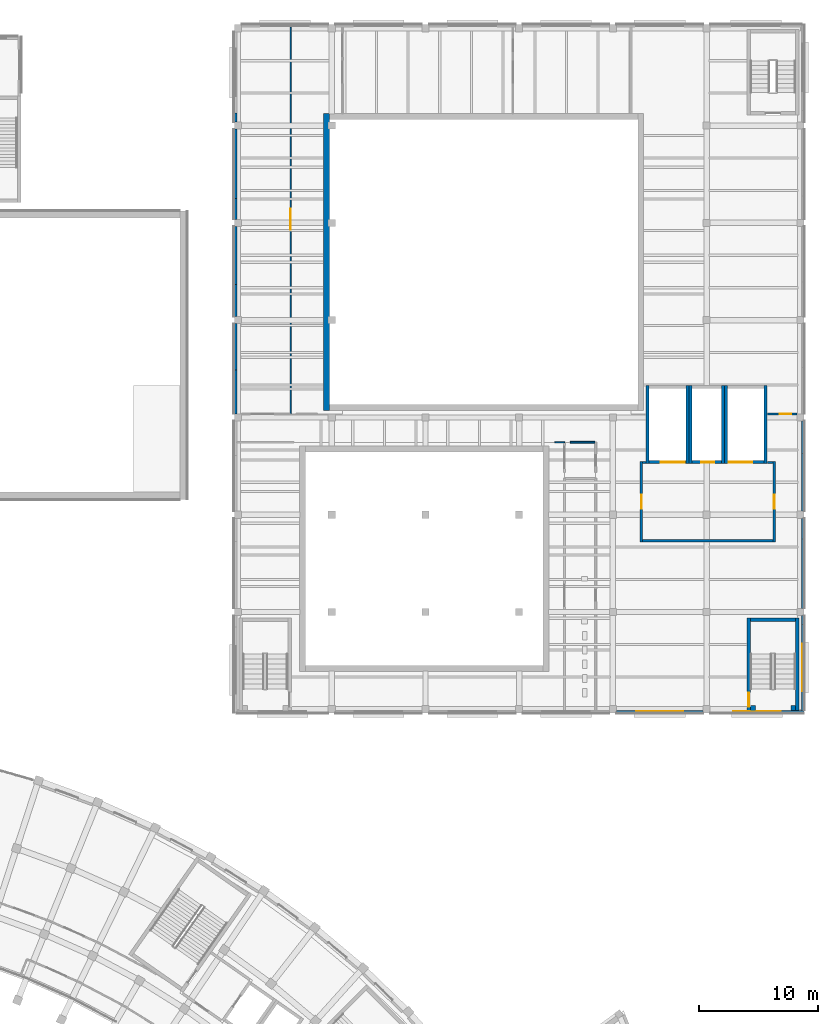
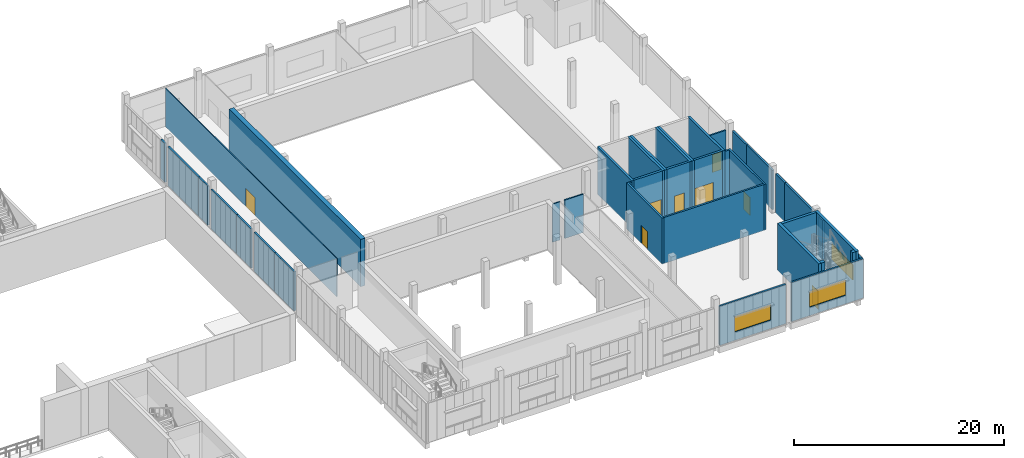
# One storey, part 64 of 112: 39 walls, 8 doors, 3 windows, 11 openings.
"""IFC4 building model written with IfcOpenShell, lengths in metres."""

from ifc_helpers import new_model, si_unit, direction, frame, frame_2d, origin, place, context, subcontext, project, spatial, rectangle, extrude, material, layer, layer_set, type_object, element, fill, save


model = new_model("IFC4")

# Units and contexts
model_context = context("Model", 3, precision=1e-05, world=origin(), true_north=direction((0.0, 1.0)))
body_context = subcontext(model_context, "Body", "Model", "MODEL_VIEW")
ifc_project = project(units=[si_unit("LENGTHUNIT", "METRE"), si_unit("AREAUNIT", "SQUARE_METRE"), si_unit("VOLUMEUNIT", "CUBIC_METRE"), si_unit("PLANEANGLEUNIT", "RADIAN"), si_unit("MASSUNIT", "GRAM", prefix="KILO")], contexts=[model_context])

# Site, building, storey
site_placement = place(None, origin())
site = spatial("IfcSite", under=ifc_project, at=site_placement, CompositionType="ELEMENT")
building_placement = place(site_placement, origin())
building = spatial("IfcBuilding", under=site, at=building_placement, Name="Lunette Opera House", CompositionType="ELEMENT")
storey_placement = place(building_placement, frame((0.0, 0.0, 6.0)))
storey = spatial("IfcBuildingStorey", under=building, at=storey_placement, Name="L01", CompositionType="ELEMENT", Elevation=6.0)

# Wall, opening, door
ifc_material_1 = material(Name="Plastered clay blockwork", Category="masonry")
ifc_layer_1 = layer(ifc_material_1, 0.175048828125)
ifc_layer_set_1 = layer_set([ifc_layer_1], Name="Plastered clay blockwork")
wall_type_1 = type_object("IfcWallType", Name="ACOUSTIC BLOCK PARTITION 175", PredefinedType="PARTITIONING", material=ifc_layer_set_1)
wall_1_placement = place(storey_placement, frame((180.949951171875, 103.199951171875, 0.0), z_axis=(0.0, 0.0, 1.0), x_axis=(1.0, 0.0, 0.0)))
wall_1 = element("IfcWall", 1, at=wall_1_placement, inside=storey, type_object=wall_type_1, Name="Partition Costume Store", PredefinedType="PARTITIONING", context=body_context, shape_type="SweptSolid", body=[
    extrude(rectangle(XDim=2.448974609375, YDim=0.175048828125, at=frame_2d((1.224609375, 0.0))), origin(), (0.0, 0.0, 1.0), 4.449951171875),
])
opening_1_placement = place(wall_1_placement, frame((1.0, 0.0, 0.0)))
opening_1 = element("IfcOpeningElement", 2, at=opening_1_placement, cuts=wall_1, Name="Opening WW-D3030", PredefinedType="OPENING", context=body_context, shape_type="SweptSolid", body=[
    extrude(rectangle(XDim=1.0, YDim=2.10009765625, at=frame_2d((0.5, 1.050048828125))), frame((0.0, 0.099609375, 0.0), z_axis=(0.0, -1.0, 0.0), x_axis=(1.0, 0.0, 0.0)), (0.0, 0.0, 1.0), 0.198974609375),
])
ifc_material_2 = material(Name="Timber", Category="wood")
door_type_1 = type_object("IfcDoorType", Name="FLUSH DOOR 1000 X 2100", OperationType="SINGLE_SWING_LEFT", PredefinedType="DOOR", material=ifc_material_2)
door_1_placement = place(opening_1_placement, origin())
door_1 = element("IfcDoor", 3, at=door_1_placement, inside=storey, type_object=door_type_1, Name="Costume Store door", OperationType="SINGLE_SWING_RIGHT", OverallHeight=2.10009765625, OverallWidth=1.0, PredefinedType="DOOR", context=body_context, shape_type="SweptSolid", body=[
    extrude(rectangle(XDim=1.0, YDim=2.10009765625, at=frame_2d((0.5, 1.050048828125))), frame((0.0, 0.02490234375, 0.0), z_axis=(0.0, -1.0, 0.0), x_axis=(1.0, 0.0, 0.0)), (0.0, 0.0, 1.0), 0.050048828125),
])
fill(opening_1, door_1)

# Wall
ifc_material_3 = material(Name="Plastered clay blockwork", Category="masonry")
ifc_layer_2 = layer(ifc_material_3, 0.14990234375)
ifc_layer_set_2 = layer_set([ifc_layer_2], Name="Plastered clay blockwork")
wall_type_2 = type_object("IfcWallType", Name="BLOCK PARTITION 150", PredefinedType="PARTITIONING", material=ifc_layer_set_2)
wall_2_placement = place(storey_placement, frame((166.37890625, 100.800048828125, 0.0), z_axis=(0.0, 0.0, 1.0), x_axis=(-1.0, 0.0, 0.0)))
element("IfcWall", 4, at=wall_2_placement, inside=storey, type_object=wall_type_2, Name="Partition Accessible WC L01 Workshop", PredefinedType="PARTITIONING", context=body_context, shape_type="SweptSolid", body=[
    extrude(rectangle(XDim=2.056884765625, YDim=0.14990234375, at=frame_2d((1.0283203125, 0.0))), origin(), (0.0, 0.0, 1.0), 4.449951171875),
])

# Wall, opening, door
ifc_material_4 = material(Name="Concrete C35/45", Category="concrete")
ifc_layer_3 = layer(ifc_material_4, 0.199951171875)
ifc_layer_set_3 = layer_set([ifc_layer_3], Name="Concrete C35/45")
wall_type_3 = type_object("IfcWallType", Name="LOBBY WALL 200", PredefinedType="PARTITIONING", material=ifc_layer_set_3)
wall_3_placement = place(storey_placement, frame((181.5, 92.39990234375, 0.0), z_axis=(0.0, 0.0, 1.0), x_axis=(0.0, 1.0, 0.0)))
wall_3 = element("IfcWall", 5, at=wall_3_placement, inside=storey, type_object=wall_type_3, Name="LL-W lobby wall 1a", PredefinedType="PARTITIONING", context=body_context, shape_type="SweptSolid", body=[
    extrude(rectangle(XDim=6.800048828125, YDim=0.199951171875, at=frame_2d((3.39990234375, 0.0))), origin(), (0.0, 0.0, 1.0), 5.35009765625),
])
opening_2_placement = place(wall_3_placement, frame((2.800048828125, 0.0, 0.0)))
opening_2 = element("IfcOpeningElement", 6, at=opening_2_placement, cuts=wall_3, Name="Opening WW-D7019", PredefinedType="OPENING", context=body_context, shape_type="SweptSolid", body=[
    extrude(rectangle(XDim=1.199951171875, YDim=2.10009765625, at=frame_2d((0.60009765625, 1.050048828125))), frame((0.0, 0.112060546875, 0.0), z_axis=(0.0, -1.0, 0.0), x_axis=(1.0, 0.0, 0.0)), (0.0, 0.0, 1.0), 0.223876953125),
])
ifc_material_5 = material(Name="Steel", Category="steel")
door_type_2 = type_object("IfcDoorType", Name="FIRE DOOR 1200 X 2100", OperationType="SINGLE_SWING_LEFT", PredefinedType="DOOR", material=ifc_material_5)
door_2_placement = place(opening_2_placement, origin())
door_2 = element("IfcDoor", 7, at=door_2_placement, inside=storey, type_object=door_type_2, Name="LL-W lobby door", OperationType="SINGLE_SWING_LEFT", OverallHeight=2.10009765625, OverallWidth=1.199951171875, PredefinedType="DOOR", context=body_context, shape_type="SweptSolid", body=[
    extrude(rectangle(XDim=1.199951171875, YDim=2.10009765625, at=frame_2d((0.60009765625, 1.050048828125))), frame((0.0, 0.02490234375, 0.0), z_axis=(0.0, -1.0, 0.0), x_axis=(1.0, 0.0, 0.0)), (0.0, 0.0, 1.0), 0.050048828125),
])
fill(opening_2, door_2)

# Walls
wall_4_placement = place(storey_placement, frame((181.39990234375, 99.10009765625, 0.0), z_axis=(0.0, 0.0, 1.0), x_axis=(-1.0, 0.0, 0.0)))
element("IfcWall", 8, at=wall_4_placement, inside=storey, type_object=wall_type_3, Name="LL-W lobby wall 2a", PredefinedType="PARTITIONING", context=body_context, shape_type="SweptSolid", body=[
    extrude(rectangle(XDim=0.47998046875, YDim=0.199951171875, at=frame_2d((0.239990234375, 0.0))), origin(), (0.0, 0.0, 1.0), 5.35009765625),
])
wall_5_placement = place(storey_placement, frame((170.679931640625, 99.10009765625, 0.0), z_axis=(0.0, 0.0, 1.0), x_axis=(-1.0, 0.0, 0.0)))
element("IfcWall", 9, at=wall_5_placement, inside=storey, type_object=wall_type_3, Name="LL-W lobby wall 2b", PredefinedType="PARTITIONING", context=body_context, shape_type="SweptSolid", body=[
    extrude(rectangle(XDim=0.280029296875, YDim=0.199951171875, at=frame_2d((0.14013671875, 0.0))), origin(), (0.0, 0.0, 1.0), 5.35009765625),
])

# Wall, opening, door
wall_6_placement = place(storey_placement, frame((170.300048828125, 99.199951171875, 0.0), z_axis=(0.0, 0.0, 1.0), x_axis=(0.0, -1.0, 0.0)))
wall_6 = element("IfcWall", 10, at=wall_6_placement, inside=storey, type_object=wall_type_3, Name="LL-W lobby wall 3a", PredefinedType="PARTITIONING", context=body_context, shape_type="SweptSolid", body=[
    extrude(rectangle(XDim=6.800048828125, YDim=0.199951171875, at=frame_2d((3.39990234375, 0.0))), origin(), (0.0, 0.0, 1.0), 5.35009765625),
])
opening_3_placement = place(wall_6_placement, frame((2.800048828125, 0.0, 0.0)))
opening_3 = element("IfcOpeningElement", 11, at=opening_3_placement, cuts=wall_6, Name="Opening WW-D7020", PredefinedType="OPENING", context=body_context, shape_type="SweptSolid", body=[
    extrude(rectangle(XDim=1.199951171875, YDim=2.10009765625, at=frame_2d((0.60009765625, 1.050048828125))), frame((0.0, 0.112060546875, 0.0), z_axis=(0.0, -1.0, 0.0), x_axis=(1.0, 0.0, 0.0)), (0.0, 0.0, 1.0), 0.223876953125),
])
door_3_placement = place(opening_3_placement, origin())
door_3 = element("IfcDoor", 12, at=door_3_placement, inside=storey, type_object=door_type_2, Name="LL-W lobby door", OperationType="SINGLE_SWING_LEFT", OverallHeight=2.10009765625, OverallWidth=1.199951171875, PredefinedType="DOOR", context=body_context, shape_type="SweptSolid", body=[
    extrude(rectangle(XDim=1.199951171875, YDim=2.10009765625, at=frame_2d((0.60009765625, 1.050048828125))), frame((0.0, 0.02490234375, 0.0), z_axis=(0.0, -1.0, 0.0), x_axis=(1.0, 0.0, 0.0)), (0.0, 0.0, 1.0), 0.050048828125),
])
fill(opening_3, door_3)

# Walls
wall_7_placement = place(storey_placement, frame((170.39990234375, 92.5, 0.0), z_axis=(0.0, 0.0, 1.0), x_axis=(1.0, 0.0, 0.0)))
element("IfcWall", 13, at=wall_7_placement, inside=storey, type_object=wall_type_3, Name="LL-W lobby wall 4a", PredefinedType="PARTITIONING", context=body_context, shape_type="SweptSolid", body=[
    extrude(rectangle(XDim=11.0, YDim=0.199951171875, at=frame_2d((5.5, 0.0))), origin(), (0.0, 0.0, 1.0), 5.35009765625),
])
ifc_material_6 = material(Name="Concrete C35/45", Category="concrete")
ifc_layer_4 = layer(ifc_material_6, 0.25)
ifc_layer_set_4 = layer_set([ifc_layer_4], Name="Concrete C35/45")
wall_type_4 = type_object("IfcWallType", Name="RC LIFT SHAFT WALL 250", PredefinedType="SOLIDWALL", material=ifc_layer_set_4)
for number, where, z_axis, x_axis, name in (
    (14, (177.175048828125, 99.0, 0.0), (0.0, 0.0, 1.0), (0.0, 1.0, 0.0), "LF6 shaft wall 1"),
    (15, (174.425048828125, 105.60009765625, 0.0), (0.0, 0.0, 1.0), (0.0, -1.0, 0.0), "LF6 shaft wall 3"),
):
    element("IfcWall", number, at=place(storey_placement, frame(where, z_axis=z_axis, x_axis=x_axis)), inside=storey, type_object=wall_type_4, Name=name, PredefinedType="SOLIDWALL", context=body_context, shape_type="SweptSolid", body=[
        extrude(rectangle(XDim=6.60009765625, YDim=0.25, at=frame_2d((3.300048828125, 0.0))), origin(), (0.0, 0.0, 1.0), 5.5),
    ])

# Wall, opening, door
wall_8_placement = place(storey_placement, frame((174.550048828125, 99.125, 0.0), z_axis=(0.0, 0.0, 1.0), x_axis=(1.0, 0.0, 0.0)))
wall_8 = element("IfcWall", 16, at=wall_8_placement, inside=storey, type_object=wall_type_4, Name="LF6 shaft wall 4", PredefinedType="SOLIDWALL", context=body_context, shape_type="SweptSolid", body=[
    extrude(rectangle(XDim=2.5, YDim=0.25, at=frame_2d((1.25, 0.0))), origin(), (0.0, 0.0, 1.0), 5.5),
])
opening_4_placement = place(wall_8_placement, frame((0.800048828125, 0.0, 0.0)))
opening_4 = element("IfcOpeningElement", 17, at=opening_4_placement, cuts=wall_8, Name="Opening WW-LD003", PredefinedType="OPENING", context=body_context, shape_type="SweptSolid", body=[
    extrude(rectangle(XDim=1.10009765625, YDim=2.10009765625, at=frame_2d((0.550048828125, 1.050048828125))), frame((0.0, 0.136962890625, 0.0), z_axis=(0.0, -1.0, 0.0), x_axis=(1.0, 0.0, 0.0)), (0.0, 0.0, 1.0), 0.27392578125),
])
ifc_material_7 = material(Name="Stainless steel", Category="steel")
door_type_3 = type_object("IfcDoorType", Name="LIFT LANDING DOOR 1100 X 2100", OperationType="DOUBLE_DOOR_SLIDING", PredefinedType="DOOR", material=ifc_material_7)
door_4_placement = place(opening_4_placement, origin())
door_4 = element("IfcDoor", 18, at=door_4_placement, inside=storey, type_object=door_type_3, Name="LF6 lift landing door", OperationType="DOUBLE_DOOR_SLIDING", OverallHeight=2.10009765625, OverallWidth=1.10009765625, PredefinedType="DOOR", context=body_context, shape_type="SweptSolid", body=[
    extrude(rectangle(XDim=1.10009765625, YDim=2.10009765625, at=frame_2d((0.550048828125, 1.050048828125))), frame((0.0, 0.02490234375, 0.0), z_axis=(0.0, -1.0, 0.0), x_axis=(1.0, 0.0, 0.0)), (0.0, 0.0, 1.0), 0.050048828125),
])
fill(opening_4, door_4)

# Walls
for number, where, z_axis, x_axis, name in (
    (19, (174.175048828125, 99.0, 0.0), (0.0, 0.0, 1.0), (0.0, 1.0, 0.0), "LG2 shaft wall 1"),
    (20, (170.824951171875, 105.60009765625, 0.0), (0.0, 0.0, 1.0), (0.0, -1.0, 0.0), "LG2 shaft wall 3"),
):
    element("IfcWall", number, at=place(storey_placement, frame(where, z_axis=z_axis, x_axis=x_axis)), inside=storey, type_object=wall_type_4, Name=name, PredefinedType="SOLIDWALL", context=body_context, shape_type="SweptSolid", body=[
        extrude(rectangle(XDim=6.60009765625, YDim=0.25, at=frame_2d((3.300048828125, 0.0))), origin(), (0.0, 0.0, 1.0), 5.5),
    ])

# Wall, opening, door
wall_9_placement = place(storey_placement, frame((170.949951171875, 99.125, 0.0), z_axis=(0.0, 0.0, 1.0), x_axis=(1.0, 0.0, 0.0)))
wall_9 = element("IfcWall", 21, at=wall_9_placement, inside=storey, type_object=wall_type_4, Name="LG2 shaft wall 4", PredefinedType="SOLIDWALL", context=body_context, shape_type="SweptSolid", body=[
    extrude(rectangle(XDim=3.10009765625, YDim=0.25, at=frame_2d((1.550048828125, 0.0))), origin(), (0.0, 0.0, 1.0), 5.5),
])
opening_5_placement = place(wall_9_placement, frame((1.0, 0.0, 0.0)))
opening_5 = element("IfcOpeningElement", 22, at=opening_5_placement, cuts=wall_9, Name="Opening WW-LD008", PredefinedType="OPENING", context=body_context, shape_type="SweptSolid", body=[
    extrude(rectangle(XDim=2.0, YDim=2.199951171875, at=frame_2d((1.0, 1.10009765625))), frame((0.0, 0.136962890625, 0.0), z_axis=(0.0, -1.0, 0.0), x_axis=(1.0, 0.0, 0.0)), (0.0, 0.0, 1.0), 0.27392578125),
])
ifc_material_8 = material(Name="Stainless steel", Category="steel")
door_type_4 = type_object("IfcDoorType", Name="LIFT LANDING DOOR 2000 X 2200", OperationType="DOUBLE_DOOR_SLIDING", PredefinedType="DOOR", material=ifc_material_8)
door_5_placement = place(opening_5_placement, origin())
door_5 = element("IfcDoor", 23, at=door_5_placement, inside=storey, type_object=door_type_4, Name="LG2 lift landing door", OperationType="DOUBLE_DOOR_SLIDING", OverallHeight=2.199951171875, OverallWidth=2.0, PredefinedType="DOOR", context=body_context, shape_type="SweptSolid", body=[
    extrude(rectangle(XDim=2.0, YDim=2.199951171875, at=frame_2d((1.0, 1.10009765625))), frame((0.0, 0.02490234375, 0.0), z_axis=(0.0, -1.0, 0.0), x_axis=(1.0, 0.0, 0.0)), (0.0, 0.0, 1.0), 0.050048828125),
])
fill(opening_5, door_5)

# Walls
for number, where, z_axis, x_axis, name in (
    (24, (180.77490234375, 99.0, 0.0), (0.0, 0.0, 1.0), (0.0, 1.0, 0.0), "LG3 shaft wall 1"),
    (25, (177.425048828125, 105.60009765625, 0.0), (0.0, 0.0, 1.0), (0.0, -1.0, 0.0), "LG3 shaft wall 3"),
):
    element("IfcWall", number, at=place(storey_placement, frame(where, z_axis=z_axis, x_axis=x_axis)), inside=storey, type_object=wall_type_4, Name=name, PredefinedType="SOLIDWALL", context=body_context, shape_type="SweptSolid", body=[
        extrude(rectangle(XDim=6.60009765625, YDim=0.25, at=frame_2d((3.300048828125, 0.0))), origin(), (0.0, 0.0, 1.0), 5.5),
    ])

# Wall, opening, door
wall_10_placement = place(storey_placement, frame((177.550048828125, 99.125, 0.0), z_axis=(0.0, 0.0, 1.0), x_axis=(1.0, 0.0, 0.0)))
wall_10 = element("IfcWall", 26, at=wall_10_placement, inside=storey, type_object=wall_type_4, Name="LG3 shaft wall 4", PredefinedType="SOLIDWALL", context=body_context, shape_type="SweptSolid", body=[
    extrude(rectangle(XDim=3.099853515625, YDim=0.25, at=frame_2d((1.5498046875, 0.0))), origin(), (0.0, 0.0, 1.0), 5.5),
])
opening_6_placement = place(wall_10_placement, frame((0.10009765625, 0.0, 0.0)))
opening_6 = element("IfcOpeningElement", 27, at=opening_6_placement, cuts=wall_10, Name="Opening WW-LD013", PredefinedType="OPENING", context=body_context, shape_type="SweptSolid", body=[
    extrude(rectangle(XDim=2.0, YDim=2.199951171875, at=frame_2d((1.0, 1.10009765625))), frame((0.0, 0.136962890625, 0.0), z_axis=(0.0, -1.0, 0.0), x_axis=(1.0, 0.0, 0.0)), (0.0, 0.0, 1.0), 0.27392578125),
])
door_6_placement = place(opening_6_placement, origin())
door_6 = element("IfcDoor", 28, at=door_6_placement, inside=storey, type_object=door_type_4, Name="LG3 lift landing door", OperationType="DOUBLE_DOOR_SLIDING", OverallHeight=2.199951171875, OverallWidth=2.0, PredefinedType="DOOR", context=body_context, shape_type="SweptSolid", body=[
    extrude(rectangle(XDim=2.0, YDim=2.199951171875, at=frame_2d((1.0, 1.10009765625))), frame((0.0, 0.02490234375, 0.0), z_axis=(0.0, -1.0, 0.0), x_axis=(1.0, 0.0, 0.0)), (0.0, 0.0, 1.0), 0.050048828125),
])
fill(opening_6, door_6)

# Walls
ifc_material_9 = material(Name="Concrete C35/45", Category="concrete")
ifc_layer_5 = layer(ifc_material_9, 0.39990234375)
ifc_layer_set_5 = layer_set([ifc_layer_5], Name="Concrete C35/45")
wall_type_5 = type_object("IfcWallType", Name="RC PILASTER 400", PredefinedType="SOLIDWALL", material=ifc_layer_set_5)
wall_11_placement = place(storey_placement, frame((179.5, 78.39990234375, 0.0), z_axis=(0.0, 0.0, 1.0), x_axis=(1.0, 0.0, 0.0)))
element("IfcWall", 29, at=wall_11_placement, inside=storey, type_object=wall_type_5, Name="ST20 pilaster 1", PredefinedType="SOLIDWALL", context=body_context, shape_type="SweptSolid", body=[
    extrude(rectangle(XDim=0.39990234375, YDim=0.39990234375, at=frame_2d((0.199951171875, 0.0))), origin(), (0.0, 0.0, 1.0), 5.5),
])
wall_12_placement = place(storey_placement, frame((182.89990234375, 78.39990234375, 0.0), z_axis=(0.0, 0.0, 1.0), x_axis=(1.0, 0.0, 0.0)))
element("IfcWall", 30, at=wall_12_placement, inside=storey, type_object=wall_type_5, Name="ST20 pilaster 2", PredefinedType="SOLIDWALL", context=body_context, shape_type="SweptSolid", body=[
    extrude(rectangle(XDim=0.400146484375, YDim=0.39990234375, at=frame_2d((0.2001953125, 0.0))), origin(), (0.0, 0.0, 1.0), 5.5),
])
ifc_material_10 = material(Name="Concrete C35/45", Category="concrete")
ifc_layer_6 = layer(ifc_material_10, 0.300048828125)
ifc_layer_set_6 = layer_set([ifc_layer_6], Name="Concrete C35/45")
wall_type_6 = type_object("IfcWallType", Name="RC STAIR ENCLOSURE WALL 300", PredefinedType="SOLIDWALL", material=ifc_layer_set_6)
wall_13_placement = place(storey_placement, frame((183.449951171875, 78.199951171875, 0.0), z_axis=(0.0, 0.0, 1.0), x_axis=(0.0, 1.0, 0.0)))
element("IfcWall", 31, at=wall_13_placement, inside=storey, type_object=wall_type_6, Name="ST20 enclosure wall 1", PredefinedType="SOLIDWALL", context=body_context, shape_type="SweptSolid", body=[
    extrude(rectangle(XDim=7.800048828125, YDim=0.300048828125, at=frame_2d((3.89990234375, 0.0))), origin(), (0.0, 0.0, 1.0), 5.5),
])
wall_14_placement = place(storey_placement, frame((183.300048828125, 85.85009765625, 0.0), z_axis=(0.0, 0.0, 1.0), x_axis=(-1.0, 0.0, 0.0)))
element("IfcWall", 32, at=wall_14_placement, inside=storey, type_object=wall_type_6, Name="ST20 enclosure wall 2", PredefinedType="SOLIDWALL", context=body_context, shape_type="SweptSolid", body=[
    extrude(rectangle(XDim=3.800048828125, YDim=0.300048828125, at=frame_2d((1.89990234375, 0.0))), origin(), (0.0, 0.0, 1.0), 5.5),
])

# Wall, opening, door
wall_15_placement = place(storey_placement, frame((179.35009765625, 86.0, 0.0), z_axis=(0.0, 0.0, 1.0), x_axis=(0.0, -1.0, 0.0)))
wall_15 = element("IfcWall", 33, at=wall_15_placement, inside=storey, type_object=wall_type_6, Name="ST20 enclosure wall 3", PredefinedType="SOLIDWALL", context=body_context, shape_type="SweptSolid", body=[
    extrude(rectangle(XDim=7.800048828125, YDim=0.300048828125, at=frame_2d((3.89990234375, 0.0))), origin(), (0.0, 0.0, 1.0), 5.5),
])
opening_7_placement = place(wall_15_placement, frame((6.300048828125, 0.0, 0.0)))
opening_7 = element("IfcOpeningElement", 34, at=opening_7_placement, cuts=wall_15, Name="Opening WW-D7012", PredefinedType="OPENING", context=body_context, shape_type="SweptSolid", body=[
    extrude(rectangle(XDim=1.199951171875, YDim=2.10009765625, at=frame_2d((0.60009765625, 1.050048828125))), frame((0.0, 0.162109375, 0.0), z_axis=(0.0, -1.0, 0.0), x_axis=(1.0, 0.0, 0.0)), (0.0, 0.0, 1.0), 0.323974609375),
])
door_7_placement = place(opening_7_placement, origin())
door_7 = element("IfcDoor", 35, at=door_7_placement, inside=storey, type_object=door_type_2, Name="ST20 stair door", OperationType="SINGLE_SWING_LEFT", OverallHeight=2.10009765625, OverallWidth=1.199951171875, PredefinedType="DOOR", context=body_context, shape_type="SweptSolid", body=[
    extrude(rectangle(XDim=1.199951171875, YDim=2.10009765625, at=frame_2d((0.60009765625, 1.050048828125))), frame((0.0, 0.02490234375, 0.0), z_axis=(0.0, -1.0, 0.0), x_axis=(1.0, 0.0, 0.0)), (0.0, 0.0, 1.0), 0.050048828125),
])
fill(opening_7, door_7)

# Wall
ifc_material_11 = material(Name="Concrete C35/45", Category="concrete")
ifc_layer_7 = layer(ifc_material_11, 0.5)
ifc_layer_set_7 = layer_set([ifc_layer_7], Name="Concrete C35/45")
wall_type_7 = type_object("IfcWallType", Name="RC WALL 500", PredefinedType="SHEAR", material=ifc_layer_set_7)
wall_16_placement = place(storey_placement, frame((143.75, 103.5, 0.0), z_axis=(0.0, 0.0, 1.0), x_axis=(0.0, 1.0, 0.0)))
element("IfcWall", 36, at=wall_16_placement, inside=storey, type_object=wall_type_7, Name="wall-WW-L01-PH-W-1", PredefinedType="SHEAR", context=body_context, shape_type="SweptSolid", body=[
    extrude(rectangle(XDim=25.0, YDim=0.5, at=frame_2d((12.5, 0.0))), origin(), (0.0, 0.0, 1.0), 5.5),
])

# Wall, opening, door
ifc_material_12 = material(Name="Gypsum board on steel studs", Category="steel")
ifc_layer_8 = layer(ifc_material_12, 0.10009765625)
ifc_layer_set_8 = layer_set([ifc_layer_8], Name="Gypsum board on steel studs")
wall_type_8 = type_object("IfcWallType", Name="STUD PARTITION 100", PredefinedType="PARTITIONING", material=ifc_layer_set_8)
wall_17_placement = place(storey_placement, frame((140.741943359375, 135.800048828125, 0.0), z_axis=(0.0, 0.0, 1.0), x_axis=(0.0, -1.0, 0.0)))
wall_17 = element("IfcWall", 37, at=wall_17_placement, inside=storey, type_object=wall_type_8, Name="Partition Wig and Make-up Workshop", PredefinedType="PARTITIONING", context=body_context, shape_type="SweptSolid", body=[
    extrude(rectangle(XDim=32.60009765625, YDim=0.10009765625, at=frame_2d((16.300048828125, 0.0))), origin(), (0.0, 0.0, 1.0), 4.449951171875),
])
opening_8_placement = place(wall_17_placement, frame((15.300048828125, 0.0, 0.0)))
opening_8 = element("IfcOpeningElement", 38, at=opening_8_placement, cuts=wall_17, Name="Opening WW-D3023", PredefinedType="OPENING", context=body_context, shape_type="SweptSolid", body=[
    extrude(rectangle(XDim=1.800048828125, YDim=2.10009765625, at=frame_2d((0.89990234375, 1.050048828125))), frame((0.0, 0.06201171875, 0.0), z_axis=(0.0, -1.0, 0.0), x_axis=(1.0, 0.0, 0.0)), (0.0, 0.0, 1.0), 0.1240234375),
])
ifc_material_13 = material(Name="Timber", Category="wood")
door_type_5 = type_object("IfcDoorType", Name="DOUBLE FLUSH DOOR 1800 X 2100", OperationType="DOUBLE_DOOR_SINGLE_SWING", PredefinedType="DOOR", material=ifc_material_13)
door_8_placement = place(opening_8_placement, origin())
door_8 = element("IfcDoor", 39, at=door_8_placement, inside=storey, type_object=door_type_5, Name="Wig and Make-up Workshop door", OperationType="DOUBLE_DOOR_SINGLE_SWING", OverallHeight=2.10009765625, OverallWidth=1.800048828125, PredefinedType="DOOR", context=body_context, shape_type="SweptSolid", body=[
    extrude(rectangle(XDim=1.800048828125, YDim=2.10009765625, at=frame_2d((0.89990234375, 1.050048828125))), frame((0.0, 0.02490234375, 0.0), z_axis=(0.0, -1.0, 0.0), x_axis=(1.0, 0.0, 0.0)), (0.0, 0.0, 1.0), 0.050048828125),
])
fill(opening_8, door_8)

# Wall
wall_18_placement = place(storey_placement, frame((163.0, 100.800048828125, 0.0), z_axis=(0.0, 0.0, 1.0), x_axis=(1.0, 0.0, 0.0)))
element("IfcWall", 40, at=wall_18_placement, inside=storey, type_object=wall_type_8, Name="Partition Corridor L01 Workshop", PredefinedType="PARTITIONING", context=body_context, shape_type="SweptSolid", body=[
    extrude(rectangle(XDim=0.822021484375, YDim=0.10009765625, at=frame_2d((0.4111328125, 0.0))), origin(), (0.0, 0.0, 1.0), 4.449951171875),
])

# Wall, opening, window
ifc_material_14 = material(Name="Insulated aluminium sandwich panel", Category="aluminium")
ifc_layer_9 = layer(ifc_material_14, 0.199951171875)
ifc_layer_set_9 = layer_set([ifc_layer_9], Name="Insulated aluminium sandwich panel")
wall_type_9 = type_object("IfcWallType", Name="WORKSHOP METAL PANEL WALL 200", PredefinedType="SOLIDWALL", material=ifc_layer_set_9)
wall_19_placement = place(storey_placement, frame((183.89990234375, 78.199951171875, 0.0), z_axis=(0.0, 0.0, 1.0), x_axis=(0.0, 1.0, 0.0)))
wall_19 = element("IfcWall", 41, at=wall_19_placement, inside=storey, type_object=wall_type_9, Name="Workshop Metal Panel Wall 200 F01 L01", PredefinedType="SOLIDWALL", context=body_context, shape_type="SweptSolid", body=[
    extrude(rectangle(XDim=7.22509765625, YDim=0.199951171875, at=frame_2d((3.612548828125, 0.0))), origin(), (0.0, 0.0, 1.0), 4.550048828125),
])
opening_9_placement = place(wall_19_placement, frame((1.612060546875, 0.0, 1.0)))
opening_9 = element("IfcOpeningElement", 42, at=opening_9_placement, cuts=wall_19, Name="Opening WW-N2001", PredefinedType="OPENING", context=body_context, shape_type="SweptSolid", body=[
    extrude(rectangle(XDim=4.0, YDim=1.800048828125, at=frame_2d((2.0, 0.89990234375))), frame((0.0, 0.112060546875, 0.0), z_axis=(0.0, -1.0, 0.0), x_axis=(1.0, 0.0, 0.0)), (0.0, 0.0, 1.0), 0.223876953125),
])
ifc_material_15 = material(Name="Aluminium", Category="aluminium")
window_type = type_object("IfcWindowType", Name="WORKSHOP RIBBON WINDOW 4000 X 1800", PartitioningType="DOUBLE_PANEL_VERTICAL", PredefinedType="WINDOW", material=ifc_material_15)
window_1_placement = place(opening_9_placement, origin())
window_1 = element("IfcWindow", 43, at=window_1_placement, inside=storey, type_object=window_type, Name="Workshop Ribbon Window 4000 X 1800 F01 L01", OverallHeight=1.800048828125, OverallWidth=4.0, PartitioningType="DOUBLE_PANEL_VERTICAL", PredefinedType="WINDOW", context=body_context, shape_type="SweptSolid", body=[
    extrude(rectangle(XDim=4.0, YDim=1.800048828125, at=frame_2d((2.0, 0.89990234375))), frame((0.0, 0.030029296875, 0.0), z_axis=(0.0, -1.0, 0.0), x_axis=(1.0, 0.0, 0.0)), (0.0, 0.0, 1.0), 0.06005859375),
])
fill(opening_9, window_1)

# Walls
wall_20_placement = place(storey_placement, frame((183.89990234375, 85.425048828125, 0.0), z_axis=(0.0, 0.0, 1.0), x_axis=(0.0, 1.0, 0.0)))
element("IfcWall", 44, at=wall_20_placement, inside=storey, type_object=wall_type_9, Name="Workshop Metal Panel Wall 200 F02-1 L01", PredefinedType="SOLIDWALL", context=body_context, shape_type="SweptSolid", body=[
    extrude(rectangle(XDim=0.77490234375, YDim=0.199951171875, at=frame_2d((0.387451171875, 0.0))), origin(), (0.0, 0.0, 1.0), 4.550048828125),
])
wall_21_placement = place(storey_placement, frame((183.89990234375, 86.800048828125, 0.0), z_axis=(0.0, 0.0, 1.0), x_axis=(0.0, 1.0, 0.0)))
element("IfcWall", 45, at=wall_21_placement, inside=storey, type_object=wall_type_9, Name="Workshop Metal Panel Wall 200 F02-2 L01", PredefinedType="SOLIDWALL", context=body_context, shape_type="SweptSolid", body=[
    extrude(rectangle(XDim=5.849853515625, YDim=0.199951171875, at=frame_2d((2.9248046875, 0.0))), origin(), (0.0, 0.0, 1.0), 4.550048828125),
])
wall_22_placement = place(storey_placement, frame((183.89990234375, 92.64990234375, 0.0), z_axis=(0.0, 0.0, 1.0), x_axis=(0.0, 1.0, 0.0)))
element("IfcWall", 46, at=wall_22_placement, inside=storey, type_object=wall_type_9, Name="Workshop Metal Panel Wall 200 F03-1 L01", PredefinedType="SOLIDWALL", context=body_context, shape_type="SweptSolid", body=[
    extrude(rectangle(XDim=1.75, YDim=0.199951171875, at=frame_2d((0.875, 0.0))), origin(), (0.0, 0.0, 1.0), 4.550048828125),
])
wall_23_placement = place(storey_placement, frame((183.89990234375, 95.0, 0.0), z_axis=(0.0, 0.0, 1.0), x_axis=(0.0, 1.0, 0.0)))
element("IfcWall", 47, at=wall_23_placement, inside=storey, type_object=wall_type_9, Name="Workshop Metal Panel Wall 200 F03-2 L01", PredefinedType="SOLIDWALL", context=body_context, shape_type="SweptSolid", body=[
    extrude(rectangle(XDim=4.875, YDim=0.199951171875, at=frame_2d((2.4375, 0.0))), origin(), (0.0, 0.0, 1.0), 4.550048828125),
])
wall_24_placement = place(storey_placement, frame((183.89990234375, 99.875, 0.0), z_axis=(0.0, 0.0, 1.0), x_axis=(0.0, 1.0, 0.0)))
element("IfcWall", 48, at=wall_24_placement, inside=storey, type_object=wall_type_9, Name="Workshop Metal Panel Wall 200 F04-1 L01", PredefinedType="SOLIDWALL", context=body_context, shape_type="SweptSolid", body=[
    extrude(rectangle(XDim=2.72509765625, YDim=0.199951171875, at=frame_2d((1.362548828125, 0.0))), origin(), (0.0, 0.0, 1.0), 4.550048828125),
])
wall_25_placement = place(storey_placement, frame((136.10009765625, 128.574951171875, 0.0), z_axis=(0.0, 0.0, 1.0), x_axis=(0.0, -1.0, 0.0)))
element("IfcWall", 49, at=wall_25_placement, inside=storey, type_object=wall_type_9, Name="Workshop Metal Panel Wall 200 F16-1 L01", PredefinedType="SOLIDWALL", context=body_context, shape_type="SweptSolid", body=[
    extrude(rectangle(XDim=0.77490234375, YDim=0.199951171875, at=frame_2d((0.387451171875, 0.0))), origin(), (0.0, 0.0, 1.0), 4.550048828125),
])
wall_26_placement = place(storey_placement, frame((136.10009765625, 127.199951171875, 0.0), z_axis=(0.0, 0.0, 1.0), x_axis=(0.0, -1.0, 0.0)))
element("IfcWall", 50, at=wall_26_placement, inside=storey, type_object=wall_type_9, Name="Workshop Metal Panel Wall 200 F16-2 L01", PredefinedType="SOLIDWALL", context=body_context, shape_type="SweptSolid", body=[
    extrude(rectangle(XDim=5.849853515625, YDim=0.199951171875, at=frame_2d((2.9248046875, 0.0))), origin(), (0.0, 0.0, 1.0), 4.550048828125),
])
wall_27_placement = place(storey_placement, frame((136.10009765625, 121.35009765625, 0.0), z_axis=(0.0, 0.0, 1.0), x_axis=(0.0, -1.0, 0.0)))
element("IfcWall", 51, at=wall_27_placement, inside=storey, type_object=wall_type_9, Name="Workshop Metal Panel Wall 200 F17-1 L01", PredefinedType="SOLIDWALL", context=body_context, shape_type="SweptSolid", body=[
    extrude(rectangle(XDim=1.75, YDim=0.199951171875, at=frame_2d((0.875, 0.0))), origin(), (0.0, 0.0, 1.0), 4.550048828125),
])
wall_28_placement = place(storey_placement, frame((136.10009765625, 119.0, 0.0), z_axis=(0.0, 0.0, 1.0), x_axis=(0.0, -1.0, 0.0)))
element("IfcWall", 52, at=wall_28_placement, inside=storey, type_object=wall_type_9, Name="Workshop Metal Panel Wall 200 F17-2 L01", PredefinedType="SOLIDWALL", context=body_context, shape_type="SweptSolid", body=[
    extrude(rectangle(XDim=4.875, YDim=0.199951171875, at=frame_2d((2.4375, 0.0))), origin(), (0.0, 0.0, 1.0), 4.550048828125),
])
wall_29_placement = place(storey_placement, frame((136.10009765625, 114.125, 0.0), z_axis=(0.0, 0.0, 1.0), x_axis=(0.0, -1.0, 0.0)))
element("IfcWall", 53, at=wall_29_placement, inside=storey, type_object=wall_type_9, Name="Workshop Metal Panel Wall 200 F18-1 L01", PredefinedType="SOLIDWALL", context=body_context, shape_type="SweptSolid", body=[
    extrude(rectangle(XDim=2.72509765625, YDim=0.199951171875, at=frame_2d((1.362548828125, 0.0))), origin(), (0.0, 0.0, 1.0), 4.550048828125),
])
wall_30_placement = place(storey_placement, frame((136.10009765625, 110.800048828125, 0.0), z_axis=(0.0, 0.0, 1.0), x_axis=(0.0, -1.0, 0.0)))
element("IfcWall", 54, at=wall_30_placement, inside=storey, type_object=wall_type_9, Name="Workshop Metal Panel Wall 200 F18-2 L01", PredefinedType="SOLIDWALL", context=body_context, shape_type="SweptSolid", body=[
    extrude(rectangle(XDim=3.900146484375, YDim=0.199951171875, at=frame_2d((1.9501953125, 0.0))), origin(), (0.0, 0.0, 1.0), 4.550048828125),
])
wall_31_placement = place(storey_placement, frame((136.10009765625, 106.89990234375, 0.0), z_axis=(0.0, 0.0, 1.0), x_axis=(0.0, -1.0, 0.0)))
element("IfcWall", 55, at=wall_31_placement, inside=storey, type_object=wall_type_9, Name="Workshop Metal Panel Wall 200 F19-1 L01", PredefinedType="SOLIDWALL", context=body_context, shape_type="SweptSolid", body=[
    extrude(rectangle(XDim=3.699951171875, YDim=0.199951171875, at=frame_2d((1.85009765625, 0.0))), origin(), (0.0, 0.0, 1.0), 4.550048828125),
])

# Wall, opening, window
wall_32_placement = place(storey_placement, frame((168.199951171875, 78.10009765625, 0.0), z_axis=(0.0, 0.0, 1.0), x_axis=(1.0, 0.0, 0.0)))
wall_32 = element("IfcWall", 56, at=wall_32_placement, inside=storey, type_object=wall_type_9, Name="Workshop Metal Panel Wall 200 F27 L01", PredefinedType="SOLIDWALL", context=body_context, shape_type="SweptSolid", body=[
    extrude(rectangle(XDim=7.300048828125, YDim=0.199951171875, at=frame_2d((3.64990234375, 0.0))), origin(), (0.0, 0.0, 1.0), 4.550048828125),
])
opening_10_placement = place(wall_32_placement, frame((1.64990234375, 0.0, 1.0)))
opening_10 = element("IfcOpeningElement", 57, at=opening_10_placement, cuts=wall_32, Name="Opening WW-N2015", PredefinedType="OPENING", context=body_context, shape_type="SweptSolid", body=[
    extrude(rectangle(XDim=4.0, YDim=1.800048828125, at=frame_2d((2.0, 0.89990234375))), frame((0.0, 0.112060546875, 0.0), z_axis=(0.0, -1.0, 0.0), x_axis=(1.0, 0.0, 0.0)), (0.0, 0.0, 1.0), 0.223876953125),
])
window_2_placement = place(opening_10_placement, origin())
window_2 = element("IfcWindow", 58, at=window_2_placement, inside=storey, type_object=window_type, Name="Workshop Ribbon Window 4000 X 1800 F27 L01", OverallHeight=1.800048828125, OverallWidth=4.0, PartitioningType="DOUBLE_PANEL_VERTICAL", PredefinedType="WINDOW", context=body_context, shape_type="SweptSolid", body=[
    extrude(rectangle(XDim=4.0, YDim=1.800048828125, at=frame_2d((2.0, 0.89990234375))), frame((0.0, 0.030029296875, 0.0), z_axis=(0.0, -1.0, 0.0), x_axis=(1.0, 0.0, 0.0)), (0.0, 0.0, 1.0), 0.06005859375),
])
fill(opening_10, window_2)

wall_33_placement = place(storey_placement, frame((176.10009765625, 78.10009765625, 0.0), z_axis=(0.0, 0.0, 1.0), x_axis=(1.0, 0.0, 0.0)))
wall_33 = element("IfcWall", 59, at=wall_33_placement, inside=storey, type_object=wall_type_9, Name="Workshop Metal Panel Wall 200 F28 L01", PredefinedType="SOLIDWALL", context=body_context, shape_type="SweptSolid", body=[
    extrude(rectangle(XDim=7.89990234375, YDim=0.199951171875, at=frame_2d((3.949951171875, 0.0))), origin(), (0.0, 0.0, 1.0), 4.550048828125),
])
opening_11_placement = place(wall_33_placement, frame((1.949951171875, 0.0, 1.0)))
opening_11 = element("IfcOpeningElement", 60, at=opening_11_placement, cuts=wall_33, Name="Opening WW-N2016", PredefinedType="OPENING", context=body_context, shape_type="SweptSolid", body=[
    extrude(rectangle(XDim=4.0, YDim=1.800048828125, at=frame_2d((2.0, 0.89990234375))), frame((0.0, 0.112060546875, 0.0), z_axis=(0.0, -1.0, 0.0), x_axis=(1.0, 0.0, 0.0)), (0.0, 0.0, 1.0), 0.223876953125),
])
window_3_placement = place(opening_11_placement, origin())
window_3 = element("IfcWindow", 61, at=window_3_placement, inside=storey, type_object=window_type, Name="Workshop Ribbon Window 4000 X 1800 F28 L01", OverallHeight=1.800048828125, OverallWidth=4.0, PartitioningType="DOUBLE_PANEL_VERTICAL", PredefinedType="WINDOW", context=body_context, shape_type="SweptSolid", body=[
    extrude(rectangle(XDim=4.0, YDim=1.800048828125, at=frame_2d((2.0, 0.89990234375))), frame((0.0, 0.030029296875, 0.0), z_axis=(0.0, -1.0, 0.0), x_axis=(1.0, 0.0, 0.0)), (0.0, 0.0, 1.0), 0.06005859375),
])
fill(opening_11, window_3)

save(model, "model.ifc")
